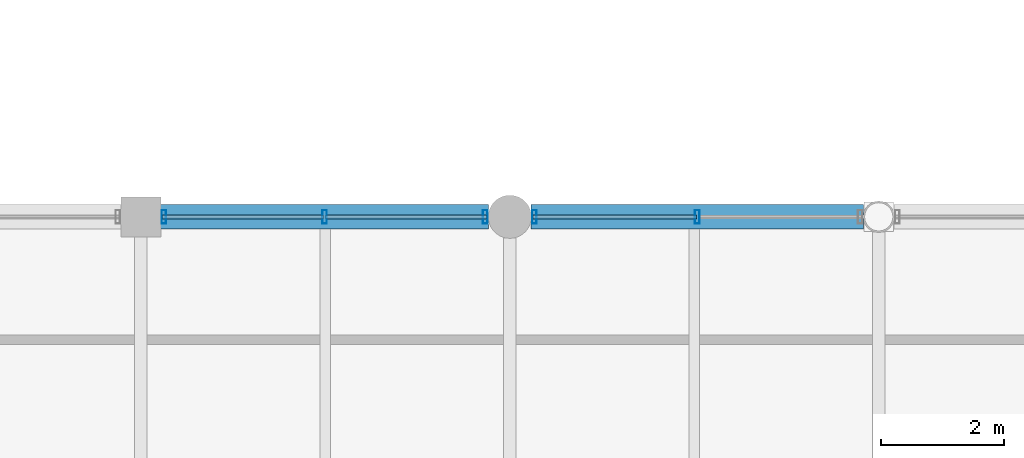
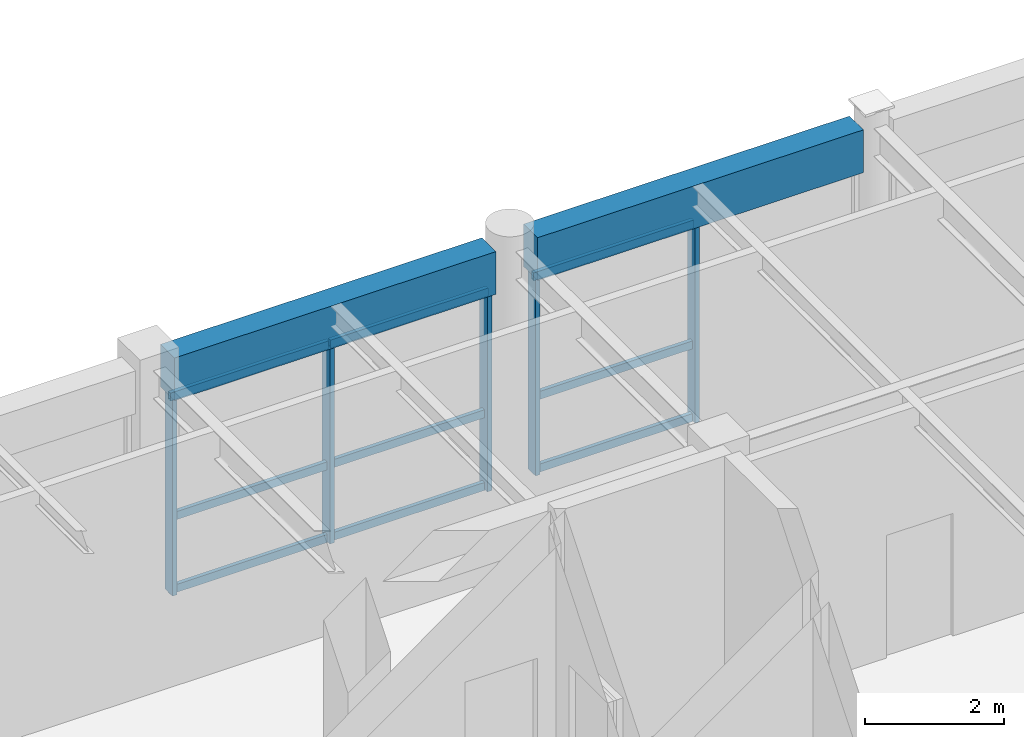
# One storey, part 26 of 116: 14 members, 2 beams, 2 elements without a shape of their own.
"""IFC4 building model written with IfcOpenShell, lengths in metres."""

from ifc_helpers import new_model, si_unit, direction, frame, origin, origin_2d, place, context, subcontext, project, spatial, rectangle, hollow_rectangle, extrude, material, material_profile, profile_set, type_object, element, aggregate, save


model = new_model("IFC4")

# Units and contexts
model_context = context("Model", 3, precision=1e-05, world=origin(), true_north=direction((0.0, 1.0)))
body_context = subcontext(model_context, "Body", "Model", "MODEL_VIEW")
ifc_project = project(units=[si_unit("LENGTHUNIT", "METRE"), si_unit("AREAUNIT", "SQUARE_METRE"), si_unit("VOLUMEUNIT", "CUBIC_METRE"), si_unit("PLANEANGLEUNIT", "RADIAN"), si_unit("MASSUNIT", "GRAM", prefix="KILO"), si_unit("THERMODYNAMICTEMPERATUREUNIT", "KELVIN"), si_unit("POWERUNIT", "WATT")], contexts=[model_context])

# Site, building, storey
site_placement = place(None, origin())
site = spatial("IfcSite", under=ifc_project, at=site_placement, CompositionType="ELEMENT")
building_placement = place(site_placement, origin())
building = spatial("IfcBuilding", under=site, at=building_placement, Name="Phaisarnlok Congress Hotel", CompositionType="ELEMENT")
storey_placement = place(building_placement, frame((0.0, 0.0, 10.5)))
storey = spatial("IfcBuildingStorey", under=building, at=storey_placement, Name="L02", CompositionType="ELEMENT", Elevation=10.5)

# Curtain wall, members
ifc_material_1 = material(Name="Thermally Broken Unitised Aluminium & Low-E Glazing", Category="aluminium")
curtain_wall_type_1 = type_object("IfcCurtainWallType", Name="CW-UNIT-17", PredefinedType="NOTDEFINED", material=ifc_material_1)
curtain_wall_1_placement = place(storey_placement, origin())
curtain_wall_1 = element("IfcCurtainWall", 1, at=curtain_wall_1_placement, inside=storey, type_object=curtain_wall_type_1, Name="Unitised curtain wall CW-17 (L02)", PredefinedType="NOTDEFINED")
ifc_material_2 = material(Name="Anodised Aluminium Alloy 6063-T6", Category="aluminium")
ifc_material_profile_1 = material_profile(ifc_material_2, hollow_rectangle(XDim=0.074951171875, YDim=0.219970703125, WallThickness=0.0048828125, at=origin_2d()), Name="ALU-M 75x220x5")
ifc_profile_set_1 = profile_set([ifc_material_profile_1], Name="Anodised Aluminium Alloy 6063-T6")
member_type_1 = type_object("IfcMemberType", Name="CWM-220", PredefinedType="MULLION", material=ifc_profile_set_1)
member_1_placement = place(storey_placement, frame((63.048095703125, 96.0, 0.0), z_axis=(0.0, 0.0, 1.0), x_axis=(-1.0, 0.0, 0.0)))
member_1 = element("IfcMember", 2, at=member_1_placement, type_object=member_type_1, Name="Curtain wall mullion CWM-02", PredefinedType="MULLION", context=body_context, shape_type="SweptSolid", body=[
    extrude(hollow_rectangle(XDim=0.074951171875, YDim=0.219970703125, WallThickness=0.0048828125, at=origin_2d()), origin(), (0.0, 0.0, 1.0), 3.489990234375),
])
member_2_placement = place(storey_placement, frame((60.39990234375, 96.0, 0.0), z_axis=(0.0, 0.0, 1.0), x_axis=(-1.0, 0.0, 0.0)))
member_2 = element("IfcMember", 3, at=member_2_placement, type_object=member_type_1, Name="Curtain wall mullion CWM-02", PredefinedType="MULLION", context=body_context, shape_type="SweptSolid", body=[
    extrude(hollow_rectangle(XDim=0.074951171875, YDim=0.219970703125, WallThickness=0.0048828125, at=origin_2d()), origin(), (0.0, 0.0, 1.0), 3.489990234375),
])

curtain_wall_type_2 = type_object("IfcCurtainWallType", Name="CW-UNIT-16", PredefinedType="NOTDEFINED", material=ifc_material_1)
curtain_wall_2_placement = place(storey_placement, origin())
curtain_wall_2 = element("IfcCurtainWall", 4, at=curtain_wall_2_placement, inside=storey, type_object=curtain_wall_type_2, Name="Unitised curtain wall CW-16 (L02)", PredefinedType="NOTDEFINED")
member_3_placement = place(storey_placement, frame((59.60009765625, 96.0, 0.0), z_axis=(0.0, 0.0, 1.0), x_axis=(-1.0, 0.0, 0.0)))
member_3 = element("IfcMember", 5, at=member_3_placement, type_object=member_type_1, Name="Curtain wall mullion CWM-02", PredefinedType="MULLION", context=body_context, shape_type="SweptSolid", body=[
    extrude(hollow_rectangle(XDim=0.074951171875, YDim=0.219970703125, WallThickness=0.0048828125, at=origin_2d()), origin(), (0.0, 0.0, 1.0), 3.489990234375),
])
member_4_placement = place(storey_placement, frame((56.987548828125, 96.0, 0.0), z_axis=(0.0, 0.0, 1.0), x_axis=(-1.0, 0.0, 0.0)))
member_4 = element("IfcMember", 6, at=member_4_placement, type_object=member_type_1, Name="Curtain wall mullion CWM-02", PredefinedType="MULLION", context=body_context, shape_type="SweptSolid", body=[
    extrude(hollow_rectangle(XDim=0.074951171875, YDim=0.219970703125, WallThickness=0.0048828125, at=origin_2d()), origin(), (0.0, 0.0, 1.0), 3.489990234375),
])
member_5_placement = place(storey_placement, frame((54.375, 96.0, 0.0), z_axis=(0.0, 0.0, 1.0), x_axis=(-1.0, 0.0, 0.0)))
member_5 = element("IfcMember", 7, at=member_5_placement, type_object=member_type_1, Name="Curtain wall mullion CWM-02", PredefinedType="MULLION", context=body_context, shape_type="SweptSolid", body=[
    extrude(hollow_rectangle(XDim=0.074951171875, YDim=0.219970703125, WallThickness=0.0048828125, at=origin_2d()), origin(), (0.0, 0.0, 1.0), 3.489990234375),
])

# Member
ifc_material_profile_2 = material_profile(ifc_material_2, hollow_rectangle(XDim=0.06494140625, YDim=0.139892578125, WallThickness=0.00390625, at=origin_2d()), Name="ALU-T 65x140x4")
ifc_profile_set_2 = profile_set([ifc_material_profile_2], Name="Anodised Aluminium Alloy 6063-T6")
member_type_2 = type_object("IfcMemberType", Name="CWT-150", PredefinedType="USERDEFINED", material=ifc_profile_set_2)
member_6_placement = place(storey_placement, frame((63.032958984375, 96.0, 0.050048828125), z_axis=(-1.0, 0.0, 0.0), x_axis=(0.0, -1.0, 0.0)))
member_6 = element("IfcMember", 8, at=member_6_placement, type_object=member_type_2, Name="Curtain wall transom CWT-01", ObjectType="TRANSOM", PredefinedType="USERDEFINED", context=body_context, shape_type="SweptSolid", body=[
    extrude(hollow_rectangle(XDim=0.06494140625, YDim=0.139892578125, WallThickness=0.00390625, at=origin_2d()), origin(), (0.0, 0.0, 1.0), 2.657958984375),
])

member_7_placement = place(storey_placement, frame((63.032958984375, 96.0, 1.326171875), z_axis=(-1.0, 0.0, 0.0), x_axis=(0.0, -1.0, 0.0)))
member_7 = element("IfcMember", 9, at=member_7_placement, type_object=member_type_2, Name="Curtain wall transom CWT-01", ObjectType="TRANSOM", PredefinedType="USERDEFINED", context=body_context, shape_type="SweptSolid", body=[
    extrude(hollow_rectangle(XDim=0.06494140625, YDim=0.139892578125, WallThickness=0.00390625, at=origin_2d()), origin(), (0.0, 0.0, 1.0), 2.657958984375),
])

member_8_placement = place(storey_placement, frame((63.032958984375, 96.0, 3.43994140625), z_axis=(-1.0, 0.0, 0.0), x_axis=(0.0, -1.0, 0.0)))
member_8 = element("IfcMember", 10, at=member_8_placement, type_object=member_type_2, Name="Curtain wall transom CWT-01", ObjectType="TRANSOM", PredefinedType="USERDEFINED", context=body_context, shape_type="SweptSolid", body=[
    extrude(hollow_rectangle(XDim=0.06494140625, YDim=0.139892578125, WallThickness=0.00390625, at=origin_2d()), origin(), (0.0, 0.0, 1.0), 2.657958984375),
])

aggregate(curtain_wall_1, [member_1, member_2, member_6, member_7, member_8])

member_9_placement = place(storey_placement, frame((59.625, 96.0, 0.050048828125), z_axis=(-1.0, 0.0, 0.0), x_axis=(0.0, -1.0, 0.0)))
member_9 = element("IfcMember", 11, at=member_9_placement, type_object=member_type_2, Name="Curtain wall transom CWT-01", ObjectType="TRANSOM", PredefinedType="USERDEFINED", context=body_context, shape_type="SweptSolid", body=[
    extrude(hollow_rectangle(XDim=0.06494140625, YDim=0.139892578125, WallThickness=0.00390625, at=origin_2d()), origin(), (0.0, 0.0, 1.0), 2.62255859375),
])

member_10_placement = place(storey_placement, frame((59.625, 96.0, 1.326171875), z_axis=(-1.0, 0.0, 0.0), x_axis=(0.0, -1.0, 0.0)))
member_10 = element("IfcMember", 12, at=member_10_placement, type_object=member_type_2, Name="Curtain wall transom CWT-01", ObjectType="TRANSOM", PredefinedType="USERDEFINED", context=body_context, shape_type="SweptSolid", body=[
    extrude(hollow_rectangle(XDim=0.06494140625, YDim=0.139892578125, WallThickness=0.00390625, at=origin_2d()), origin(), (0.0, 0.0, 1.0), 2.62255859375),
])

member_11_placement = place(storey_placement, frame((59.625, 96.0, 3.43994140625), z_axis=(-1.0, 0.0, 0.0), x_axis=(0.0, -1.0, 0.0)))
member_11 = element("IfcMember", 13, at=member_11_placement, type_object=member_type_2, Name="Curtain wall transom CWT-01", ObjectType="TRANSOM", PredefinedType="USERDEFINED", context=body_context, shape_type="SweptSolid", body=[
    extrude(hollow_rectangle(XDim=0.06494140625, YDim=0.139892578125, WallThickness=0.00390625, at=origin_2d()), origin(), (0.0, 0.0, 1.0), 2.62255859375),
])

member_12_placement = place(storey_placement, frame((56.972412109375, 96.0, 0.050048828125), z_axis=(-1.0, 0.0, 0.0), x_axis=(0.0, -1.0, 0.0)))
member_12 = element("IfcMember", 14, at=member_12_placement, type_object=member_type_2, Name="Curtain wall transom CWT-01", ObjectType="TRANSOM", PredefinedType="USERDEFINED", context=body_context, shape_type="SweptSolid", body=[
    extrude(hollow_rectangle(XDim=0.06494140625, YDim=0.139892578125, WallThickness=0.00390625, at=origin_2d()), origin(), (0.0, 0.0, 1.0), 2.622314453125),
])

member_13_placement = place(storey_placement, frame((56.972412109375, 96.0, 1.326171875), z_axis=(-1.0, 0.0, 0.0), x_axis=(0.0, -1.0, 0.0)))
member_13 = element("IfcMember", 15, at=member_13_placement, type_object=member_type_2, Name="Curtain wall transom CWT-01", ObjectType="TRANSOM", PredefinedType="USERDEFINED", context=body_context, shape_type="SweptSolid", body=[
    extrude(hollow_rectangle(XDim=0.06494140625, YDim=0.139892578125, WallThickness=0.00390625, at=origin_2d()), origin(), (0.0, 0.0, 1.0), 2.622314453125),
])

member_14_placement = place(storey_placement, frame((56.972412109375, 96.0, 3.43994140625), z_axis=(-1.0, 0.0, 0.0), x_axis=(0.0, -1.0, 0.0)))
member_14 = element("IfcMember", 16, at=member_14_placement, type_object=member_type_2, Name="Curtain wall transom CWT-01", ObjectType="TRANSOM", PredefinedType="USERDEFINED", context=body_context, shape_type="SweptSolid", body=[
    extrude(hollow_rectangle(XDim=0.06494140625, YDim=0.139892578125, WallThickness=0.00390625, at=origin_2d()), origin(), (0.0, 0.0, 1.0), 2.622314453125),
])

aggregate(curtain_wall_2, [member_3, member_4, member_5, member_9, member_10, member_11, member_12, member_13, member_14])

# Beams
ifc_material_3 = material(Name="Concrete C40/50", Category="concrete")
ifc_material_profile_3 = material_profile(ifc_material_3, rectangle(XDim=0.39990234375, YDim=0.75, at=origin_2d()), Name="RC 400x750")
ifc_profile_set_3 = profile_set([ifc_material_profile_3], Name="Concrete C40/50")
beam_type = type_object("IfcBeamType", Name="SP-RC-400x750", PredefinedType="SPANDREL", material=ifc_profile_set_3)
beam_1_placement = place(storey_placement, frame((54.320068359375, 96.0, 3.864990234375), z_axis=(1.0, 0.0, 0.0), x_axis=(0.0, 1.0, 0.0)))
element("IfcBeam", 17, at=beam_1_placement, inside=storey, type_object=beam_type, Name="Beam SP-02", PredefinedType="SPANDREL", context=body_context, shape_type="SweptSolid", body=[
    extrude(rectangle(XDim=0.39990234375, YDim=0.75, at=origin_2d()), origin(), (0.0, 0.0, 1.0), 5.3349609375),
])
beam_2_placement = place(storey_placement, frame((60.344970703125, 96.0, 3.864990234375), z_axis=(1.0, 0.0, 0.0), x_axis=(0.0, 1.0, 0.0)))
element("IfcBeam", 18, at=beam_2_placement, inside=storey, type_object=beam_type, Name="Beam SP-02", PredefinedType="SPANDREL", context=body_context, shape_type="SweptSolid", body=[
    extrude(rectangle(XDim=0.39990234375, YDim=0.75, at=origin_2d()), origin(), (0.0, 0.0, 1.0), 5.406005859375),
])

save(model, "model.ifc")
